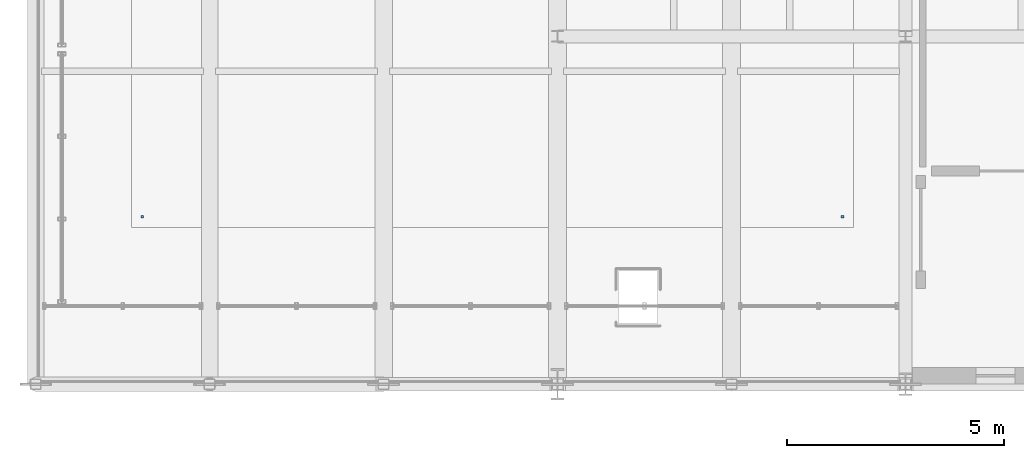
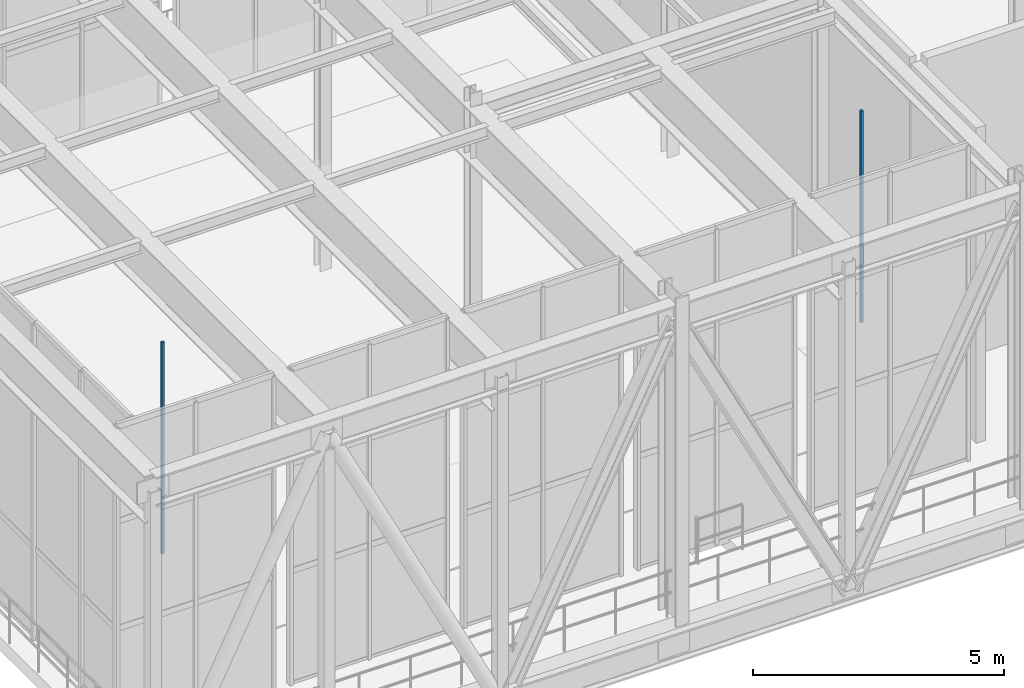
# One storey, part 102 of 138: 2 discrete accessories.
"""IFC4 building model written with IfcOpenShell, lengths in metres."""

import ifcopenshell
import ifcopenshell.guid

model = None  # the IFC model being written
_history = None  # IfcOwnerHistory: only IFC2X3 demands one
_inside = {}  # id of a spatial element -> (the spatial element, [elements in it])
_under = {}  # id of a project, library or spatial element -> (it, [spatial elements below it])
_declared = {}  # id of a project -> (the project, [libraries it declares])
_typed = {}  # id of a type object -> (the type object, [elements of that type])
_made_of = {}  # id of a material, layer set ... -> (it, [elements and type objects made of it])


def new_model(schema):
    """Start an empty IFC model of exactly this schema.

    Asked for "IFC4X3", IfcOpenShell would pick the latest addendum, in which some entities
    have other attributes; the version numbers below select the first issue.
    IFC2X3 requires an IfcOwnerHistory on every rooted entity: one is made here for all.
    """
    global model, _history
    if schema == "IFC4X3":
        model = ifcopenshell.file(schema_version=(4, 3, 0, 0))
    else:
        model = ifcopenshell.file(schema=schema)
    _inside.clear()
    _under.clear()
    _declared.clear()
    _typed.clear()
    _made_of.clear()
    _history = None
    if model.schema == "IFC2X3":
        org = make("IfcOrganization", Name="unknown")
        user = make(
            "IfcPersonAndOrganization",
            ThePerson=make("IfcPerson", FamilyName="unknown"),
            TheOrganization=org,
        )
        app = make(
            "IfcApplication",
            ApplicationDeveloper=org,
            Version="unknown",
            ApplicationFullName="unknown",
            ApplicationIdentifier="unknown",
        )
        _history = make(
            "IfcOwnerHistory",
            OwningUser=user,
            OwningApplication=app,
            ChangeAction="ADDED",
            CreationDate=0,
        )
    return model


def make(cls, **values):
    """One entity of the class cls with the attributes given. An attribute that is None is left unset."""
    return model.create_entity(
        cls, **{name: value for name, value in values.items() if value is not None}
    )


def rooted(cls, **values):
    """An entity with a GlobalId (a new one), such as an element, a storey or a relation."""
    return make(cls, GlobalId=ifcopenshell.guid.new(), OwnerHistory=_history, **values)


def si_unit(unit_type, name, prefix=None):
    """IfcSIUnit, for example si_unit("LENGTHUNIT", "METRE", prefix="MILLI")."""
    return make("IfcSIUnit", UnitType=unit_type, Prefix=prefix, Name=name)


def assignment(units):
    """IfcUnitAssignment: the units of a project."""
    return None if units is None else make("IfcUnitAssignment", Units=units)


def point(xyz):
    """IfcCartesianPoint."""
    return None if xyz is None else make("IfcCartesianPoint", Coordinates=xyz)


def direction(xyz):
    """IfcDirection."""
    return None if xyz is None else make("IfcDirection", DirectionRatios=xyz)


def frame(location, z_axis=None, x_axis=None):
    """IfcAxis2Placement3D, a coordinate frame: its origin and axes. An axis left out is left unset."""
    return make(
        "IfcAxis2Placement3D",
        Location=point(location),
        Axis=direction(z_axis),
        RefDirection=direction(x_axis),
    )


def frame_2d(location, x_axis=None):
    """IfcAxis2Placement2D, a coordinate frame in the plane: its origin and x axis."""
    return make(
        "IfcAxis2Placement2D", Location=point(location), RefDirection=direction(x_axis)
    )


def origin():
    """The frame at (0, 0, 0) with its axes left unset."""
    return frame((0.0, 0.0, 0.0))


def origin_2d():
    """The frame at (0, 0) in the plane with its x axis left unset."""
    return frame_2d((0.0, 0.0))


def place(relative_to, where):
    """IfcLocalPlacement: puts the frame where relative to a parent placement (None: the world)."""
    return make(
        "IfcLocalPlacement", PlacementRelTo=relative_to, RelativePlacement=where
    )


def context(
    kind, dimensions, precision=None, world=None, true_north=None, identifier=None
):
    """IfcGeometricRepresentationContext, for example the 3D "Model" context."""
    return make(
        "IfcGeometricRepresentationContext",
        ContextIdentifier=identifier,
        ContextType=kind,
        CoordinateSpaceDimension=dimensions,
        Precision=precision,
        WorldCoordinateSystem=world,
        TrueNorth=true_north,
    )


def subcontext(parent, identifier, kind, view, scale=None):
    """IfcGeometricRepresentationSubContext, for example "Body" below "Model"."""
    return make(
        "IfcGeometricRepresentationSubContext",
        ContextIdentifier=identifier,
        ContextType=kind,
        ParentContext=parent,
        TargetScale=scale,
        TargetView=view,
    )


def project(units=None, contexts=None):
    """IfcProject with its units and contexts."""
    return rooted(
        "IfcProject",
        Name="project",
        RepresentationContexts=contexts,
        UnitsInContext=assignment(units),
    )


def spatial(cls, under=None, at=None, **own):
    """A site, building, storey or space (cls), placed at a placement, below another one or the project."""
    s = rooted(cls, ObjectPlacement=at, **own)
    if under is not None:
        _under.setdefault(under.id(), (under, []))[1].append(s)
    return s


def profile(cls, at=None, kind="AREA", **sizes):
    """A parametric profile (cls). Its sizes go by their IFC names, for example OverallWidth=200.0."""
    return make(cls, ProfileType=kind, Position=at, **sizes)


def rectangle(**sizes):
    """IfcRectangleProfileDef."""
    return profile("IfcRectangleProfileDef", **sizes)


def extrude(swept, where, along, depth):
    """IfcExtrudedAreaSolid: the profile swept, set in the frame where, extruded along a direction by depth."""
    return make(
        "IfcExtrudedAreaSolid",
        SweptArea=swept,
        Position=where,
        ExtrudedDirection=direction(along),
        Depth=depth,
    )


def shape(context_of_items, identifier, shape_type, items):
    """IfcShapeRepresentation: the items that make up one representation, for example the "Body"."""
    return make(
        "IfcShapeRepresentation",
        ContextOfItems=context_of_items,
        RepresentationIdentifier=identifier,
        RepresentationType=shape_type,
        Items=items,
    )


def material(Name=None, Category=None):
    """IfcMaterial."""
    return make("IfcMaterial", Name=Name, Category=Category)


def made_of(thing, what):
    """Note that an element or type object is made of a material, layer set ...; save() writes the relation."""
    if what is not None:
        _made_of.setdefault(what.id(), (what, []))[1].append(thing)
    return thing


def type_object(cls, material=None, **own):
    """A type object (cls), such as IfcWallType, which elements share."""
    return made_of(rooted(cls, **own), material)


def element(
    cls,
    number,
    at=None,
    inside=None,
    cuts=None,
    type_object=None,
    material=None,
    context=None,
    identifier="Body",
    shape_type=None,
    held_by="IfcProductDefinitionShape",
    body=None,
    shapes=None,
    **own,
):
    """One element of the class cls, such as IfcWall. Its Tag is "e" and its number.

    at: its placement. inside: the storey or other place that contains it. cuts: it is an
    opening in that element (IfcRelVoidsElement). A single representation is given by context,
    identifier, shape_type and body (its items); several are given by shapes. held_by: the class
    of the entity that holds the representations. save() writes the other relations.
    """
    e = rooted(cls, Tag="e%d" % number, ObjectPlacement=at, **own)
    if body is not None:
        shapes = [shape(context, identifier, shape_type, body)]
    if shapes is not None:
        e.Representation = make(held_by, Representations=shapes)
    if inside is not None:
        _inside.setdefault(inside.id(), (inside, []))[1].append(e)
    if cuts is not None:
        rooted(
            "IfcRelVoidsElement", RelatingBuildingElement=cuts, RelatedOpeningElement=e
        )
    if type_object is not None:
        _typed.setdefault(type_object.id(), (type_object, []))[1].append(e)
    return made_of(e, material)


def aggregate(whole, parts):
    """IfcRelAggregates: a whole, such as a stair, and the parts it consists of."""
    return rooted("IfcRelAggregates", RelatingObject=whole, RelatedObjects=parts)


def save(model, path):
    """Write the relations noted so far, then the file.

    IfcRelAggregates (storeys below a building ...), IfcRelContainedInSpatialStructure (elements
    in a storey), IfcRelDefinesByType, IfcRelAssociatesMaterial and IfcRelDeclares: one each for
    every whole, place, type object, material and project.
    """
    for whole, parts in _under.values():
        aggregate(whole, parts)
    for where, things in _inside.values():
        rooted(
            "IfcRelContainedInSpatialStructure",
            RelatedElements=things,
            RelatingStructure=where,
        )
    for kind, things in _typed.values():
        rooted("IfcRelDefinesByType", RelatedObjects=things, RelatingType=kind)
    for what, things in _made_of.values():
        rooted("IfcRelAssociatesMaterial", RelatedObjects=things, RelatingMaterial=what)
    for by, libraries in _declared.values():
        rooted("IfcRelDeclares", RelatingContext=by, RelatedDefinitions=libraries)
    model.write(path)


model = new_model("IFC4")

# Units and contexts
model_context = context("Model", 3, precision=1e-05, world=origin(), true_north=direction((0.0, 1.0)))
body_context = subcontext(model_context, "Body", "Model", "MODEL_VIEW")
ifc_project = project(units=[si_unit("LENGTHUNIT", "METRE"), si_unit("AREAUNIT", "SQUARE_METRE"), si_unit("VOLUMEUNIT", "CUBIC_METRE"), si_unit("PLANEANGLEUNIT", "RADIAN"), si_unit("MASSUNIT", "GRAM", prefix="KILO")], contexts=[model_context])

# Site, building, storey
site_placement = place(None, origin())
site = spatial("IfcSite", under=ifc_project, at=site_placement, CompositionType="ELEMENT")
building_placement = place(site_placement, origin())
building = spatial("IfcBuilding", under=site, at=building_placement, Name="Sundkrona Museum", CompositionType="ELEMENT")
storey_placement = place(building_placement, frame((0.0, 0.0, 9.60009765625)))
storey = spatial("IfcBuildingStorey", under=building, at=storey_placement, Name="L02", CompositionType="ELEMENT", Elevation=9.60009765625)

# Discrete accessories
ifc_material = material(Name="Stainless Steel EN 1.4404 Cleat", Category="steel")
discrete_accessory_type = type_object("IfcDiscreteAccessoryType", Name="BRK-FIN-01", PredefinedType="BRACKET", material=ifc_material)
for number, where, z_axis, x_axis, name in (
    (1, (6.449951171875, 35.85009765625, 2.5498046875), (0.0, 0.0, 1.0), (1.0, 0.0, 0.0), "L02 Sculpture Cantilever Gallery Ceiling Hanger 1"),
    (2, (22.550048828125, 35.85009765625, 2.5498046875), (0.0, 0.0, 1.0), (1.0, 0.0, 0.0), "L02 Sculpture Cantilever Gallery Ceiling Hanger 2"),
):
    element("IfcDiscreteAccessory", number, at=place(storey_placement, frame(where, z_axis=z_axis, x_axis=x_axis)), inside=storey, type_object=discrete_accessory_type, Name=name, PredefinedType="BRACKET", context=body_context, shape_type="SweptSolid", body=[
        extrude(rectangle(XDim=0.06005859375, YDim=0.06005859375, at=origin_2d()), origin(), (0.0, 0.0, 1.0), 5.155029296875),
    ])

save(model, "model.ifc")
